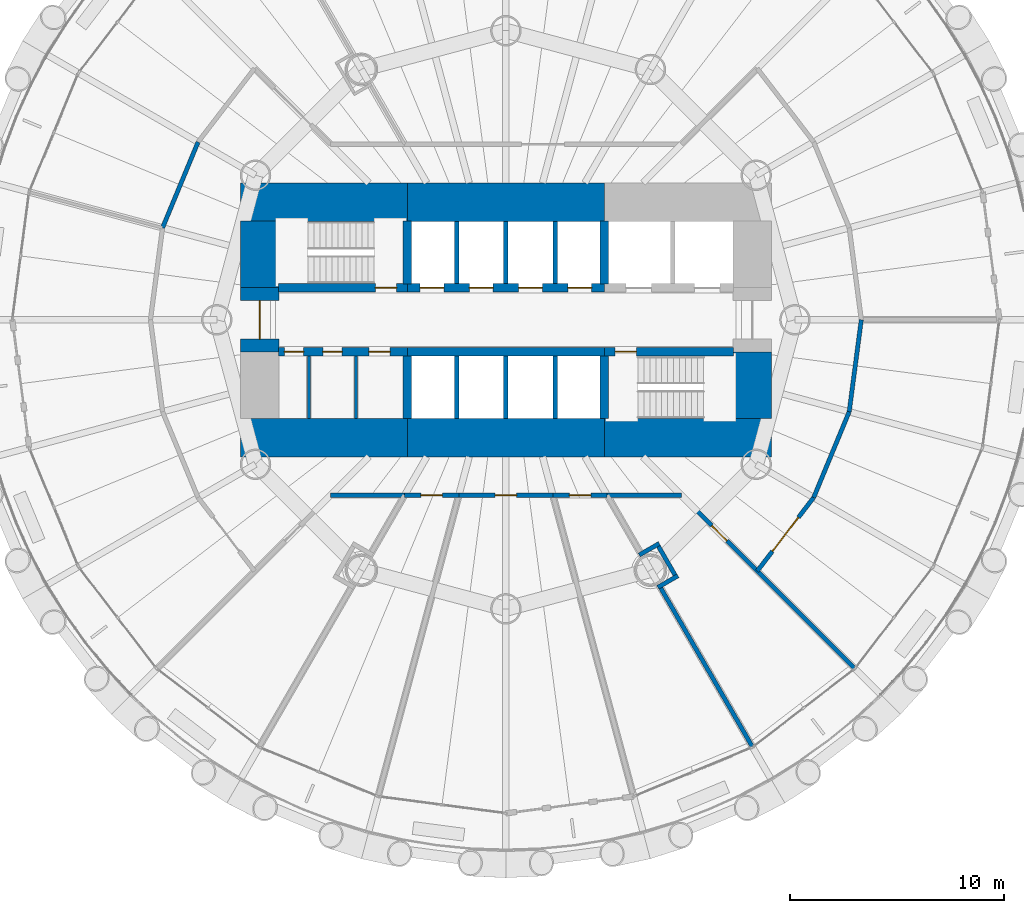
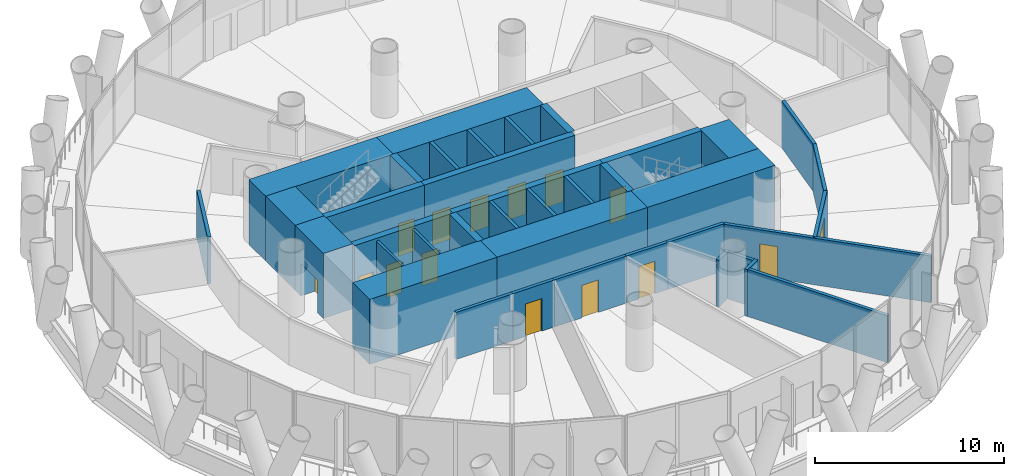
# One storey, part 9 of 14: 39 walls, 15 doors, 15 openings.
"""IFC4 building model written with IfcOpenShell, lengths in metres."""

from ifc_helpers import new_model, si_unit, direction, frame, frame_2d, origin, place, context, subcontext, project, spatial, rectangle, extrude, material, layer, layer_set, type_object, element, fill, save


model = new_model("IFC4")

# Units and contexts
model_context = context("Model", 3, precision=1e-05, world=origin(), true_north=direction((0.0, 1.0)))
body_context = subcontext(model_context, "Body", "Model", "MODEL_VIEW")
ifc_project = project(units=[si_unit("LENGTHUNIT", "METRE"), si_unit("AREAUNIT", "SQUARE_METRE"), si_unit("VOLUMEUNIT", "CUBIC_METRE"), si_unit("PLANEANGLEUNIT", "RADIAN"), si_unit("MASSUNIT", "GRAM", prefix="KILO")], contexts=[model_context])

# Site, building, storey
site_placement = place(None, origin())
site = spatial("IfcSite", under=ifc_project, at=site_placement, CompositionType="ELEMENT")
building_placement = place(site_placement, origin())
building = spatial("IfcBuilding", under=site, at=building_placement, Name="Qaws Media Tower", CompositionType="ELEMENT")
storey_placement = place(building_placement, frame((0.0, 0.0, 93.199951171875)))
storey = spatial("IfcBuildingStorey", under=building, at=storey_placement, Name="L20", CompositionType="ELEMENT", Elevation=93.199951171875)

# Wall, opening, door
ifc_material_1 = material(Name="Concrete C60/75", Category="concrete")
ifc_layer_1 = layer(ifc_material_1, 0.39990234375)
ifc_layer_set_1 = layer_set([ifc_layer_1], Name="Core inner wall 400")
wall_type_1 = type_object("IfcWallType", Name="Core inner wall 400", PredefinedType="SHEAR", material=ifc_layer_set_1)
wall_1_placement = place(storey_placement, frame((49.3798828125, 51.5, 0.0), z_axis=(0.0, 0.0, 1.0), x_axis=(1.0, 0.0, 0.0)))
wall_1 = element("IfcWall", 1, at=wall_1_placement, inside=storey, type_object=wall_type_1, Name="W311 SW4 core wall SPNW L20", PredefinedType="SHEAR", context=body_context, shape_type="SweptSolid", body=[
    extrude(rectangle(XDim=6.02001953125, YDim=0.39990234375, at=frame_2d((3.010009765625, 0.0))), origin(), (0.0, 0.0, 1.0), 4.199951171875),
])
opening_1_placement = place(wall_1_placement, frame((4.52001953125, 0.0, 0.0)))
opening_1 = element("IfcOpeningElement", 2, at=opening_1_placement, cuts=wall_1, Name="Opening D1", PredefinedType="OPENING", context=body_context, shape_type="SweptSolid", body=[
    extrude(rectangle(XDim=1.0, YDim=2.10009765625, at=frame_2d((0.5, 1.050048828125))), frame((0.0, 0.2099609375, 0.0), z_axis=(0.0, -1.0, 0.0), x_axis=(1.0, 0.0, 0.0)), (0.0, 0.0, 1.0), 0.419921875),
])
ifc_material_2 = material(Name="Steel, fire rated", Category="steel")
door_type_1 = type_object("IfcDoorType", Name="Stair door 1000 FD120", OperationType="SINGLE_SWING_LEFT", PredefinedType="DOOR", material=ifc_material_2)
door_1_placement = place(opening_1_placement, origin())
door_1 = element("IfcDoor", 3, at=door_1_placement, inside=storey, type_object=door_type_1, Name="D1 stair S1 door L20 in wall W311", OperationType="SINGLE_SWING_LEFT", OverallHeight=2.10009765625, OverallWidth=1.0, PredefinedType="DOOR", context=body_context, shape_type="SweptSolid", body=[
    extrude(rectangle(XDim=1.0, YDim=2.10009765625, at=frame_2d((0.5, 1.050048828125))), frame((0.0, 0.02490234375, 0.0), z_axis=(0.0, -1.0, 0.0), x_axis=(1.0, 0.0, 0.0)), (0.0, 0.0, 1.0), 0.050048828125),
])
fill(opening_1, door_1)

# Wall, openings, doors
wall_2_placement = place(storey_placement, frame((55.39990234375, 51.5, 0.0), z_axis=(0.0, 0.0, 1.0), x_axis=(1.0, 0.0, 0.0)))
wall_2 = element("IfcWall", 4, at=wall_2_placement, inside=storey, type_object=wall_type_1, Name="W314 SW4 core wall SPN L20", PredefinedType="SHEAR", context=body_context, shape_type="SweptSolid", body=[
    extrude(rectangle(XDim=9.2001953125, YDim=0.39990234375, at=frame_2d((4.60009765625, 0.0))), origin(), (0.0, 0.0, 1.0), 4.199951171875),
])
opening_2_placement = place(wall_2_placement, frame((0.60009765625, 0.0, 0.0)))
opening_2 = element("IfcOpeningElement", 5, at=opening_2_placement, cuts=wall_2, Name="Opening LD", PredefinedType="OPENING", context=body_context, shape_type="SweptSolid", body=[
    extrude(rectangle(XDim=1.10009765625, YDim=2.10009765625, at=frame_2d((0.550048828125, 1.050048828125))), frame((0.0, 0.2099609375, 0.0), z_axis=(0.0, -1.0, 0.0), x_axis=(1.0, 0.0, 0.0)), (0.0, 0.0, 1.0), 0.419921875),
])
opening_3_placement = place(wall_2_placement, frame((2.89990234375, 0.0, 0.0)))
opening_3 = element("IfcOpeningElement", 6, at=opening_3_placement, cuts=wall_2, Name="Opening LD", PredefinedType="OPENING", context=body_context, shape_type="SweptSolid", body=[
    extrude(rectangle(XDim=1.10009765625, YDim=2.10009765625, at=frame_2d((0.550048828125, 1.050048828125))), frame((0.0, 0.2099609375, 0.0), z_axis=(0.0, -1.0, 0.0), x_axis=(1.0, 0.0, 0.0)), (0.0, 0.0, 1.0), 0.419921875),
])
opening_4_placement = place(wall_2_placement, frame((5.199951171875, 0.0, 0.0)))
opening_4 = element("IfcOpeningElement", 7, at=opening_4_placement, cuts=wall_2, Name="Opening LD", PredefinedType="OPENING", context=body_context, shape_type="SweptSolid", body=[
    extrude(rectangle(XDim=1.10009765625, YDim=2.10009765625, at=frame_2d((0.550048828125, 1.050048828125))), frame((0.0, 0.2099609375, 0.0), z_axis=(0.0, -1.0, 0.0), x_axis=(1.0, 0.0, 0.0)), (0.0, 0.0, 1.0), 0.419921875),
])
opening_5_placement = place(wall_2_placement, frame((7.5, 0.0, 0.0)))
opening_5 = element("IfcOpeningElement", 8, at=opening_5_placement, cuts=wall_2, Name="Opening LD", PredefinedType="OPENING", context=body_context, shape_type="SweptSolid", body=[
    extrude(rectangle(XDim=1.10009765625, YDim=2.10009765625, at=frame_2d((0.550048828125, 1.050048828125))), frame((0.0, 0.2099609375, 0.0), z_axis=(0.0, -1.0, 0.0), x_axis=(1.0, 0.0, 0.0)), (0.0, 0.0, 1.0), 0.419921875),
])
ifc_material_3 = material(Name="Steel, fire rated", Category="steel")
door_type_2 = type_object("IfcDoorType", Name="Lift landing door 1100", OperationType="SLIDING_TO_LEFT", PredefinedType="DOOR", material=ifc_material_3)
door_2_placement = place(opening_2_placement, origin())
door_2 = element("IfcDoor", 9, at=door_2_placement, inside=storey, type_object=door_type_2, Name="P1 landing door L20 in wall W314", OperationType="SLIDING_TO_LEFT", OverallHeight=2.10009765625, OverallWidth=1.10009765625, PredefinedType="DOOR", context=body_context, shape_type="SweptSolid", body=[
    extrude(rectangle(XDim=1.10009765625, YDim=2.10009765625, at=frame_2d((0.550048828125, 1.050048828125))), frame((0.0, 0.02490234375, 0.0), z_axis=(0.0, -1.0, 0.0), x_axis=(1.0, 0.0, 0.0)), (0.0, 0.0, 1.0), 0.050048828125),
])
fill(opening_2, door_2)
door_3_placement = place(opening_3_placement, origin())
door_3 = element("IfcDoor", 10, at=door_3_placement, inside=storey, type_object=door_type_2, Name="P2 landing door L20 in wall W314", OperationType="SLIDING_TO_LEFT", OverallHeight=2.10009765625, OverallWidth=1.10009765625, PredefinedType="DOOR", context=body_context, shape_type="SweptSolid", body=[
    extrude(rectangle(XDim=1.10009765625, YDim=2.10009765625, at=frame_2d((0.550048828125, 1.050048828125))), frame((0.0, 0.02490234375, 0.0), z_axis=(0.0, -1.0, 0.0), x_axis=(1.0, 0.0, 0.0)), (0.0, 0.0, 1.0), 0.050048828125),
])
fill(opening_3, door_3)
door_4_placement = place(opening_4_placement, origin())
door_4 = element("IfcDoor", 11, at=door_4_placement, inside=storey, type_object=door_type_2, Name="P3 landing door L20 in wall W314", OperationType="SLIDING_TO_LEFT", OverallHeight=2.10009765625, OverallWidth=1.10009765625, PredefinedType="DOOR", context=body_context, shape_type="SweptSolid", body=[
    extrude(rectangle(XDim=1.10009765625, YDim=2.10009765625, at=frame_2d((0.550048828125, 1.050048828125))), frame((0.0, 0.02490234375, 0.0), z_axis=(0.0, -1.0, 0.0), x_axis=(1.0, 0.0, 0.0)), (0.0, 0.0, 1.0), 0.050048828125),
])
fill(opening_4, door_4)
door_5_placement = place(opening_5_placement, origin())
door_5 = element("IfcDoor", 12, at=door_5_placement, inside=storey, type_object=door_type_2, Name="P4 landing door L20 in wall W314", OperationType="SLIDING_TO_LEFT", OverallHeight=2.10009765625, OverallWidth=1.10009765625, PredefinedType="DOOR", context=body_context, shape_type="SweptSolid", body=[
    extrude(rectangle(XDim=1.10009765625, YDim=2.10009765625, at=frame_2d((0.550048828125, 1.050048828125))), frame((0.0, 0.02490234375, 0.0), z_axis=(0.0, -1.0, 0.0), x_axis=(1.0, 0.0, 0.0)), (0.0, 0.0, 1.0), 0.050048828125),
])
fill(opening_5, door_5)

wall_3_placement = place(storey_placement, frame((49.3798828125, 48.5, 0.0), z_axis=(0.0, 0.0, 1.0), x_axis=(1.0, 0.0, 0.0)))
wall_3 = element("IfcWall", 13, at=wall_3_placement, inside=storey, type_object=wall_type_1, Name="W310 SW4 core wall SPSW L20", PredefinedType="SHEAR", context=body_context, shape_type="SweptSolid", body=[
    extrude(rectangle(XDim=6.02001953125, YDim=0.39990234375, at=frame_2d((3.010009765625, 0.0))), origin(), (0.0, 0.0, 1.0), 4.199951171875),
])
opening_6_placement = place(wall_3_placement, frame((0.27001953125, 0.0, 0.0)))
opening_6 = element("IfcOpeningElement", 14, at=opening_6_placement, cuts=wall_3, Name="Opening D25", PredefinedType="OPENING", context=body_context, shape_type="SweptSolid", body=[
    extrude(rectangle(XDim=0.89990234375, YDim=2.10009765625, at=frame_2d((0.449951171875, 1.050048828125))), frame((0.0, 0.2099609375, 0.0), z_axis=(0.0, -1.0, 0.0), x_axis=(1.0, 0.0, 0.0)), (0.0, 0.0, 1.0), 0.419921875),
])
opening_7_placement = place(wall_3_placement, frame((2.070068359375, 0.0, 0.0)))
opening_7 = element("IfcOpeningElement", 15, at=opening_7_placement, cuts=wall_3, Name="Opening D25", PredefinedType="OPENING", context=body_context, shape_type="SweptSolid", body=[
    extrude(rectangle(XDim=0.89990234375, YDim=2.10009765625, at=frame_2d((0.449951171875, 1.050048828125))), frame((0.0, 0.2099609375, 0.0), z_axis=(0.0, -1.0, 0.0), x_axis=(1.0, 0.0, 0.0)), (0.0, 0.0, 1.0), 0.419921875),
])
opening_8_placement = place(wall_3_placement, frame((4.219970703125, 0.0, 0.0)))
opening_8 = element("IfcOpeningElement", 16, at=opening_8_placement, cuts=wall_3, Name="Opening D4", PredefinedType="OPENING", context=body_context, shape_type="SweptSolid", body=[
    extrude(rectangle(XDim=1.0, YDim=2.10009765625, at=frame_2d((0.5, 1.050048828125))), frame((0.0, 0.2099609375, 0.0), z_axis=(0.0, -1.0, 0.0), x_axis=(1.0, 0.0, 0.0)), (0.0, 0.0, 1.0), 0.419921875),
])
ifc_material_4 = material(Name="Timber veneered", Category="wood")
door_type_3 = type_object("IfcDoorType", Name="Accessible WC door 1000", OperationType="SLIDING_TO_LEFT", PredefinedType="DOOR", material=ifc_material_4)
door_6_placement = place(opening_8_placement, origin())
door_6 = element("IfcDoor", 17, at=door_6_placement, inside=storey, type_object=door_type_3, Name="D4 toilet door 3 L20 in wall W310", OperationType="SLIDING_TO_LEFT", OverallHeight=2.10009765625, OverallWidth=1.0, PredefinedType="DOOR", context=body_context, shape_type="SweptSolid", body=[
    extrude(rectangle(XDim=1.0, YDim=2.10009765625, at=frame_2d((0.5, 1.050048828125))), frame((0.0, 0.02490234375, 0.0), z_axis=(0.0, -1.0, 0.0), x_axis=(1.0, 0.0, 0.0)), (0.0, 0.0, 1.0), 0.050048828125),
])
fill(opening_8, door_6)
ifc_material_5 = material(Name="Steel, fire rated", Category="steel")
door_type_4 = type_object("IfcDoorType", Name="Core service door 900", OperationType="SINGLE_SWING_RIGHT", PredefinedType="DOOR", material=ifc_material_5)
door_7_placement = place(opening_6_placement, origin())
door_7 = element("IfcDoor", 18, at=door_7_placement, inside=storey, type_object=door_type_4, Name="D25 toilet door 1 L20 in wall W310", OperationType="SINGLE_SWING_RIGHT", OverallHeight=2.10009765625, OverallWidth=0.89990234375, PredefinedType="DOOR", context=body_context, shape_type="SweptSolid", body=[
    extrude(rectangle(XDim=0.89990234375, YDim=2.10009765625, at=frame_2d((0.449951171875, 1.050048828125))), frame((0.0, 0.02490234375, 0.0), z_axis=(0.0, -1.0, 0.0), x_axis=(1.0, 0.0, 0.0)), (0.0, 0.0, 1.0), 0.050048828125),
])
fill(opening_6, door_7)
door_8_placement = place(opening_7_placement, origin())
door_8 = element("IfcDoor", 19, at=door_8_placement, inside=storey, type_object=door_type_4, Name="D25 toilet door 2 L20 in wall W310", OperationType="SINGLE_SWING_RIGHT", OverallHeight=2.10009765625, OverallWidth=0.89990234375, PredefinedType="DOOR", context=body_context, shape_type="SweptSolid", body=[
    extrude(rectangle(XDim=0.89990234375, YDim=2.10009765625, at=frame_2d((0.449951171875, 1.050048828125))), frame((0.0, 0.02490234375, 0.0), z_axis=(0.0, -1.0, 0.0), x_axis=(1.0, 0.0, 0.0)), (0.0, 0.0, 1.0), 0.050048828125),
])
fill(opening_7, door_8)

# Wall
wall_4_placement = place(storey_placement, frame((55.39990234375, 48.5, 0.0), z_axis=(0.0, 0.0, 1.0), x_axis=(1.0, 0.0, 0.0)))
element("IfcWall", 20, at=wall_4_placement, inside=storey, type_object=wall_type_1, Name="W313 SW4 core wall SPS L20", PredefinedType="SHEAR", context=body_context, shape_type="SweptSolid", body=[
    extrude(rectangle(XDim=9.2001953125, YDim=0.39990234375, at=frame_2d((4.60009765625, 0.0))), origin(), (0.0, 0.0, 1.0), 4.199951171875),
])

# Wall, opening, door
wall_5_placement = place(storey_placement, frame((64.60009765625, 48.5, 0.0), z_axis=(0.0, 0.0, 1.0), x_axis=(1.0, 0.0, 0.0)))
wall_5 = element("IfcWall", 21, at=wall_5_placement, inside=storey, type_object=wall_type_1, Name="W317 SW4 core wall SPSE L20", PredefinedType="SHEAR", context=body_context, shape_type="SweptSolid", body=[
    extrude(rectangle(XDim=6.02001953125, YDim=0.39990234375, at=frame_2d((3.010009765625, 0.0))), origin(), (0.0, 0.0, 1.0), 4.199951171875),
])
opening_9_placement = place(wall_5_placement, frame((0.5, 0.0, 0.0)))
opening_9 = element("IfcOpeningElement", 22, at=opening_9_placement, cuts=wall_5, Name="Opening D1", PredefinedType="OPENING", context=body_context, shape_type="SweptSolid", body=[
    extrude(rectangle(XDim=1.0, YDim=2.10009765625, at=frame_2d((0.5, 1.050048828125))), frame((0.0, 0.2099609375, 0.0), z_axis=(0.0, -1.0, 0.0), x_axis=(1.0, 0.0, 0.0)), (0.0, 0.0, 1.0), 0.419921875),
])
door_9_placement = place(opening_9_placement, origin())
door_9 = element("IfcDoor", 23, at=door_9_placement, inside=storey, type_object=door_type_1, Name="D1 stair S2 door L20 in wall W317", OperationType="SINGLE_SWING_LEFT", OverallHeight=2.10009765625, OverallWidth=1.0, PredefinedType="DOOR", context=body_context, shape_type="SweptSolid", body=[
    extrude(rectangle(XDim=1.0, YDim=2.10009765625, at=frame_2d((0.5, 1.050048828125))), frame((0.0, 0.02490234375, 0.0), z_axis=(0.0, -1.0, 0.0), x_axis=(1.0, 0.0, 0.0)), (0.0, 0.0, 1.0), 0.050048828125),
])
fill(opening_9, door_9)

# Walls
for number, where, z_axis, x_axis, name in (
    (24, (55.39990234375, 51.679931640625, 0.0), (0.0, 0.0, 1.0), (0.0, 1.0, 0.0), "W315 SW4 core wall XNW L20"),
    (25, (64.60009765625, 51.679931640625, 0.0), (0.0, 0.0, 1.0), (0.0, 1.0, 0.0), "W319 SW4 core wall XNE L20"),
    (26, (55.39990234375, 48.320068359375, 0.0), (0.0, 0.0, 1.0), (0.0, -1.0, 0.0), "W312 SW4 core wall XSW L20"),
    (27, (64.60009765625, 48.320068359375, 0.0), (0.0, 0.0, 1.0), (0.0, -1.0, 0.0), "W316 SW4 core wall XSE L20"),
):
    element("IfcWall", number, at=place(storey_placement, frame(where, z_axis=z_axis, x_axis=x_axis)), inside=storey, type_object=wall_type_1, Name=name, PredefinedType="SHEAR", context=body_context, shape_type="SweptSolid", body=[
        extrude(rectangle(XDim=2.940185546875, YDim=0.39990234375, at=frame_2d((1.47021484375, 0.0))), origin(), (0.0, 0.0, 1.0), 4.199951171875),
    ])
ifc_material_6 = material(Name="Concrete C60/75", Category="concrete")
ifc_layer_2 = layer(ifc_material_6, 1.800048828125)
ifc_layer_set_2 = layer_set([ifc_layer_2], Name="Core wall 1800")
wall_type_2 = type_object("IfcWallType", Name="Core wall 1800", PredefinedType="SHEAR", material=ifc_layer_set_2)
wall_6_placement = place(storey_placement, frame((47.60009765625, 55.5, 0.0), z_axis=(0.0, 0.0, 1.0), x_axis=(1.0, 0.0, 0.0)))
element("IfcWall", 28, at=wall_6_placement, inside=storey, type_object=wall_type_2, Name="W399 SW11 core wall NW L20", PredefinedType="SHEAR", context=body_context, shape_type="SweptSolid", body=[
    extrude(rectangle(XDim=7.7998046875, YDim=1.800048828125, at=frame_2d((3.89990234375, 0.0))), origin(), (0.0, 0.0, 1.0), 4.199951171875),
])
wall_7_placement = place(storey_placement, frame((55.39990234375, 55.5, 0.0), z_axis=(0.0, 0.0, 1.0), x_axis=(1.0, 0.0, 0.0)))
element("IfcWall", 29, at=wall_7_placement, inside=storey, type_object=wall_type_2, Name="W404 SW11 core wall N L20", PredefinedType="SHEAR", context=body_context, shape_type="SweptSolid", body=[
    extrude(rectangle(XDim=9.2001953125, YDim=1.800048828125, at=frame_2d((4.60009765625, 0.0))), origin(), (0.0, 0.0, 1.0), 4.199951171875),
])
wall_8_placement = place(storey_placement, frame((47.60009765625, 44.5, 0.0), z_axis=(0.0, 0.0, 1.0), x_axis=(1.0, 0.0, 0.0)))
element("IfcWall", 30, at=wall_8_placement, inside=storey, type_object=wall_type_2, Name="W398 SW11 core wall SW L20", PredefinedType="SHEAR", context=body_context, shape_type="SweptSolid", body=[
    extrude(rectangle(XDim=7.7998046875, YDim=1.800048828125, at=frame_2d((3.89990234375, 0.0))), origin(), (0.0, 0.0, 1.0), 4.199951171875),
])
wall_9_placement = place(storey_placement, frame((55.39990234375, 44.5, 0.0), z_axis=(0.0, 0.0, 1.0), x_axis=(1.0, 0.0, 0.0)))
element("IfcWall", 31, at=wall_9_placement, inside=storey, type_object=wall_type_2, Name="W403 SW11 core wall S L20", PredefinedType="SHEAR", context=body_context, shape_type="SweptSolid", body=[
    extrude(rectangle(XDim=9.2001953125, YDim=1.800048828125, at=frame_2d((4.60009765625, 0.0))), origin(), (0.0, 0.0, 1.0), 4.199951171875),
])
wall_10_placement = place(storey_placement, frame((64.60009765625, 44.5, 0.0), z_axis=(0.0, 0.0, 1.0), x_axis=(1.0, 0.0, 0.0)))
element("IfcWall", 32, at=wall_10_placement, inside=storey, type_object=wall_type_2, Name="W405 SW11 core wall SE L20", PredefinedType="SHEAR", context=body_context, shape_type="SweptSolid", body=[
    extrude(rectangle(XDim=7.7998046875, YDim=1.800048828125, at=frame_2d((3.89990234375, 0.0))), origin(), (0.0, 0.0, 1.0), 4.199951171875),
])
wall_11_placement = place(storey_placement, frame((71.5, 45.3798828125, 0.0), z_axis=(0.0, 0.0, 1.0), x_axis=(0.0, 1.0, 0.0)))
element("IfcWall", 33, at=wall_11_placement, inside=storey, type_object=wall_type_2, Name="W407 SW11 core wall ES L20", PredefinedType="SHEAR", context=body_context, shape_type="SweptSolid", body=[
    extrude(rectangle(XDim=3.1201171875, YDim=1.800048828125, at=frame_2d((1.56005859375, 0.0))), origin(), (0.0, 0.0, 1.0), 4.199951171875),
])

# Wall, opening, door
wall_12_placement = place(storey_placement, frame((48.5, 48.5, 0.0), z_axis=(0.0, 0.0, 1.0), x_axis=(0.0, 1.0, 0.0)))
wall_12 = element("IfcWall", 34, at=wall_12_placement, inside=storey, type_object=wall_type_2, Name="W401 SW11 core wall W L20", PredefinedType="SHEAR", context=body_context, shape_type="SweptSolid", body=[
    extrude(rectangle(XDim=3.0, YDim=1.800048828125, at=frame_2d((1.5, 0.0))), origin(), (0.0, 0.0, 1.0), 4.199951171875),
])
opening_10_placement = place(wall_12_placement, frame((0.60009765625, 0.0, 0.0)))
opening_10 = element("IfcOpeningElement", 35, at=opening_10_placement, cuts=wall_12, Name="Opening D2", PredefinedType="OPENING", context=body_context, shape_type="SweptSolid", body=[
    extrude(rectangle(XDim=1.800048828125, YDim=2.10009765625, at=frame_2d((0.89990234375, 1.050048828125))), frame((0.0, 0.909912109375, 0.0), z_axis=(0.0, -1.0, 0.0), x_axis=(1.0, 0.0, 0.0)), (0.0, 0.0, 1.0), 1.820068359375),
])
ifc_material_7 = material(Name="Steel and glass, fire rated", Category="steel")
door_type_5 = type_object("IfcDoorType", Name="Lobby door pair 1800 FD60", OperationType="DOUBLE_DOOR_DOUBLE_SWING", PredefinedType="DOOR", material=ifc_material_7)
door_10_placement = place(opening_10_placement, origin())
door_10 = element("IfcDoor", 36, at=door_10_placement, inside=storey, type_object=door_type_5, Name="D2 core lobby door W L20 in wall W401", OperationType="DOUBLE_DOOR_DOUBLE_SWING", OverallHeight=2.10009765625, OverallWidth=1.800048828125, PredefinedType="DOOR", context=body_context, shape_type="SweptSolid", body=[
    extrude(rectangle(XDim=1.800048828125, YDim=2.10009765625, at=frame_2d((0.89990234375, 1.050048828125))), frame((0.0, 0.02490234375, 0.0), z_axis=(0.0, -1.0, 0.0), x_axis=(1.0, 0.0, 0.0)), (0.0, 0.0, 1.0), 0.050048828125),
])
fill(opening_10, door_10)

# Walls
wall_13_placement = place(storey_placement, frame((48.5, 51.5, 0.0), z_axis=(0.0, 0.0, 1.0), x_axis=(0.0, 1.0, 0.0)))
element("IfcWall", 37, at=wall_13_placement, inside=storey, type_object=wall_type_2, Name="W402 SW11 core wall WN L20", PredefinedType="SHEAR", context=body_context, shape_type="SweptSolid", body=[
    extrude(rectangle(XDim=3.1201171875, YDim=1.800048828125, at=frame_2d((1.56005859375, 0.0))), origin(), (0.0, 0.0, 1.0), 4.199951171875),
])
ifc_material_8 = material(Name="Gypsum board on galvanised metal studs, acoustic double stud, deflection head", Category="gypsum")
ifc_layer_3 = layer(ifc_material_8, 0.199951171875)
ifc_layer_set_3 = layer_set([ifc_layer_3], Name="Room partition 200")
wall_type_3 = type_object("IfcWallType", Name="Room partition 200", PredefinedType="PARTITIONING", material=ifc_layer_set_3)
for number, where, z_axis, x_axis, name in (
    (38, (43.965576171875, 54.29638671875, 0.0), (0.0, 0.0, 1.0), (0.382698425325, 0.923873322082, 0.0), "W989 IW3 partition L20"),
    (39, (76.60009765625, 50.0, 0.0), (0.0, 0.0, 1.0), (-0.130536124221, -0.99144355375, 0.0), "W1017 IW3 partition L20"),
    (40, (76.034423828125, 45.70361328125, 0.0), (0.0, 0.0, 1.0), (-0.382698425325, -0.923873322082, 0.0), "W1015 IW3 partition L20"),
):
    element("IfcWall", number, at=place(storey_placement, frame(where, z_axis=z_axis, x_axis=x_axis)), inside=storey, type_object=wall_type_3, Name=name, PredefinedType="PARTITIONING", context=body_context, shape_type="SweptSolid", body=[
        extrude(rectangle(XDim=4.33349609375, YDim=0.199951171875, at=frame_2d((2.166748046875, 0.0))), origin(), (0.0, 0.0, 1.0), 3.0400390625),
    ])

# Wall, opening, door
wall_14_placement = place(storey_placement, frame((74.3759765625, 41.699951171875, 0.0), z_axis=(0.0, 0.0, 1.0), x_axis=(-0.60874374674, -0.79336690806, 0.0)))
wall_14 = element("IfcWall", 41, at=wall_14_placement, inside=storey, type_object=wall_type_3, Name="W1013 IW3 partition L20", PredefinedType="PARTITIONING", context=body_context, shape_type="SweptSolid", body=[
    extrude(rectangle(XDim=4.33349609375, YDim=0.199951171875, at=frame_2d((2.166748046875, 0.0))), origin(), (0.0, 0.0, 1.0), 3.0400390625),
])
opening_11_placement = place(wall_14_placement, frame((1.166748046875, 0.0, 0.0)))
opening_11 = element("IfcOpeningElement", 42, at=opening_11_placement, cuts=wall_14, Name="Opening D6", PredefinedType="OPENING", context=body_context, shape_type="SweptSolid", body=[
    extrude(rectangle(XDim=2.0, YDim=2.10009765625, at=frame_2d((1.0, 1.050048828125))), frame((0.0, 0.10986328125, 0.0), z_axis=(0.0, -1.0, 0.0), x_axis=(1.0, 0.0, 0.0)), (0.0, 0.0, 1.0), 0.219970703125),
])
ifc_material_9 = material(Name="Steel, acoustic, fire rated", Category="steel")
door_type_6 = type_object("IfcDoorType", Name="Room door pair 2000", OperationType="DOUBLE_DOOR_DOUBLE_SWING", PredefinedType="DOOR", material=ifc_material_9)
door_11_placement = place(opening_11_placement, origin())
door_11 = element("IfcDoor", 43, at=door_11_placement, inside=storey, type_object=door_type_6, Name="D6 Broadcast engineering office door L20 in wall W1013", OperationType="DOUBLE_DOOR_DOUBLE_SWING", OverallHeight=2.10009765625, OverallWidth=2.0, PredefinedType="DOOR", context=body_context, shape_type="SweptSolid", body=[
    extrude(rectangle(XDim=2.0, YDim=2.10009765625, at=frame_2d((1.0, 1.050048828125))), frame((0.0, 0.02490234375, 0.0), z_axis=(0.0, -1.0, 0.0), x_axis=(1.0, 0.0, 0.0)), (0.0, 0.0, 1.0), 0.050048828125),
])
fill(opening_11, door_11)

# Wall
wall_15_placement = place(storey_placement, frame((68.199951171875, 41.800048828125, 0.0), z_axis=(0.0, 0.0, 1.0), x_axis=(-1.0, 0.0, 0.0)))
element("IfcWall", 44, at=wall_15_placement, inside=storey, type_object=wall_type_3, Name="W974 IW3 partition L20", PredefinedType="PARTITIONING", context=body_context, shape_type="SweptSolid", body=[
    extrude(rectangle(XDim=3.465576171875, YDim=0.199951171875, at=frame_2d((1.73291015625, 0.0))), origin(), (0.0, 0.0, 1.0), 3.0400390625),
])

# Wall, opening, door
wall_16_placement = place(storey_placement, frame((64.734375, 41.800048828125, 0.0), z_axis=(0.0, 0.0, 1.0), x_axis=(-1.0, 0.0, 0.0)))
wall_16 = element("IfcWall", 45, at=wall_16_placement, inside=storey, type_object=wall_type_3, Name="W1124 IW3 partition L20", PredefinedType="PARTITIONING", context=body_context, shape_type="SweptSolid", body=[
    extrude(rectangle(XDim=2.537109375, YDim=0.199951171875, at=frame_2d((1.2685546875, 0.0))), origin(), (0.0, 0.0, 1.0), 3.0400390625),
])
opening_12_placement = place(wall_16_placement, frame((0.7685546875, 0.0, 0.0)))
opening_12 = element("IfcOpeningElement", 46, at=opening_12_placement, cuts=wall_16, Name="Opening D5", PredefinedType="OPENING", context=body_context, shape_type="SweptSolid", body=[
    extrude(rectangle(XDim=1.0, YDim=2.10009765625, at=frame_2d((0.5, 1.050048828125))), frame((0.0, 0.10986328125, 0.0), z_axis=(0.0, -1.0, 0.0), x_axis=(1.0, 0.0, 0.0)), (0.0, 0.0, 1.0), 0.219970703125),
])
ifc_material_10 = material(Name="Timber veneered, acoustic seal", Category="wood")
door_type_7 = type_object("IfcDoorType", Name="Room door 1000", OperationType="SINGLE_SWING_LEFT", PredefinedType="DOOR", material=ifc_material_10)
door_12_placement = place(opening_12_placement, origin())
door_12 = element("IfcDoor", 47, at=door_12_placement, inside=storey, type_object=door_type_7, Name="D5 Gents toilets door L20 in wall W1124", OperationType="SINGLE_SWING_LEFT", OverallHeight=2.10009765625, OverallWidth=1.0, PredefinedType="DOOR", context=body_context, shape_type="SweptSolid", body=[
    extrude(rectangle(XDim=1.0, YDim=2.10009765625, at=frame_2d((0.5, 1.050048828125))), frame((0.0, 0.02490234375, 0.0), z_axis=(0.0, -1.0, 0.0), x_axis=(1.0, 0.0, 0.0)), (0.0, 0.0, 1.0), 0.050048828125),
])
fill(opening_12, door_12)

wall_17_placement = place(storey_placement, frame((62.197265625, 41.800048828125, 0.0), z_axis=(0.0, 0.0, 1.0), x_axis=(-1.0, 0.0, 0.0)))
wall_17 = element("IfcWall", 48, at=wall_17_placement, inside=storey, type_object=wall_type_3, Name="W1122 IW3 partition L20", PredefinedType="PARTITIONING", context=body_context, shape_type="SweptSolid", body=[
    extrude(rectangle(XDim=4.39453125, YDim=0.199951171875, at=frame_2d((2.197265625, 0.0))), origin(), (0.0, 0.0, 1.0), 3.0400390625),
])
opening_13_placement = place(wall_17_placement, frame((1.697265625, 0.0, 0.0)))
opening_13 = element("IfcOpeningElement", 49, at=opening_13_placement, cuts=wall_17, Name="Opening D5", PredefinedType="OPENING", context=body_context, shape_type="SweptSolid", body=[
    extrude(rectangle(XDim=1.0, YDim=2.10009765625, at=frame_2d((0.5, 1.050048828125))), frame((0.0, 0.10986328125, 0.0), z_axis=(0.0, -1.0, 0.0), x_axis=(1.0, 0.0, 0.0)), (0.0, 0.0, 1.0), 0.219970703125),
])
door_13_placement = place(opening_13_placement, origin())
door_13 = element("IfcDoor", 50, at=door_13_placement, inside=storey, type_object=door_type_7, Name="D5 Media library door L20 in wall W1122", OperationType="SINGLE_SWING_LEFT", OverallHeight=2.10009765625, OverallWidth=1.0, PredefinedType="DOOR", context=body_context, shape_type="SweptSolid", body=[
    extrude(rectangle(XDim=1.0, YDim=2.10009765625, at=frame_2d((0.5, 1.050048828125))), frame((0.0, 0.02490234375, 0.0), z_axis=(0.0, -1.0, 0.0), x_axis=(1.0, 0.0, 0.0)), (0.0, 0.0, 1.0), 0.050048828125),
])
fill(opening_13, door_13)

wall_18_placement = place(storey_placement, frame((57.802734375, 41.800048828125, 0.0), z_axis=(0.0, 0.0, 1.0), x_axis=(-1.0, 0.0, 0.0)))
wall_18 = element("IfcWall", 51, at=wall_18_placement, inside=storey, type_object=wall_type_3, Name="W971 IW3 partition L20", PredefinedType="PARTITIONING", context=body_context, shape_type="SweptSolid", body=[
    extrude(rectangle(XDim=2.537109375, YDim=0.199951171875, at=frame_2d((1.2685546875, 0.0))), origin(), (0.0, 0.0, 1.0), 3.0400390625),
])
opening_14_placement = place(wall_18_placement, frame((0.7685546875, 0.0, 0.0)))
opening_14 = element("IfcOpeningElement", 52, at=opening_14_placement, cuts=wall_18, Name="Opening D5", PredefinedType="OPENING", context=body_context, shape_type="SweptSolid", body=[
    extrude(rectangle(XDim=1.0, YDim=2.10009765625, at=frame_2d((0.5, 1.050048828125))), frame((0.0, 0.10986328125, 0.0), z_axis=(0.0, -1.0, 0.0), x_axis=(1.0, 0.0, 0.0)), (0.0, 0.0, 1.0), 0.219970703125),
])
door_14_placement = place(opening_14_placement, origin())
door_14 = element("IfcDoor", 53, at=door_14_placement, inside=storey, type_object=door_type_7, Name="D5 Comms room door L20 in wall W971", OperationType="SINGLE_SWING_LEFT", OverallHeight=2.10009765625, OverallWidth=1.0, PredefinedType="DOOR", context=body_context, shape_type="SweptSolid", body=[
    extrude(rectangle(XDim=1.0, YDim=2.10009765625, at=frame_2d((0.5, 1.050048828125))), frame((0.0, 0.02490234375, 0.0), z_axis=(0.0, -1.0, 0.0), x_axis=(1.0, 0.0, 0.0)), (0.0, 0.0, 1.0), 0.050048828125),
])
fill(opening_14, door_14)

# Walls
wall_19_placement = place(storey_placement, frame((55.265625, 41.800048828125, 0.0), z_axis=(0.0, 0.0, 1.0), x_axis=(-1.0, 0.0, 0.0)))
element("IfcWall", 54, at=wall_19_placement, inside=storey, type_object=wall_type_3, Name="W968 IW3 partition L20", PredefinedType="PARTITIONING", context=body_context, shape_type="SweptSolid", body=[
    extrude(rectangle(XDim=3.465576171875, YDim=0.199951171875, at=frame_2d((1.73291015625, 0.0))), origin(), (0.0, 0.0, 1.0), 3.0400390625),
])
for number, where, z_axis, x_axis, name in (
    (55, (66.227783203125, 39.012939453125, 0.0), (0.0, 0.0, 1.0), (0.86603892542, 0.499976579108, 0.0), "W1125 IW3 partition return L20"),
    (56, (67.098876953125, 37.50439453125, 0.0), (0.0, 0.0, 1.0), (0.86603892542, 0.499976579108, 0.0), "W1126 IW3 partition return L20"),
):
    element("IfcWall", number, at=place(storey_placement, frame(where, z_axis=z_axis, x_axis=x_axis)), inside=storey, type_object=wall_type_3, Name=name, PredefinedType="PARTITIONING", context=body_context, shape_type="SweptSolid", body=[
        extrude(rectangle(XDim=1.0810546875, YDim=0.199951171875, at=frame_2d((0.54052734375, 0.0))), origin(), (0.0, 0.0, 1.0), 3.02001953125),
    ])
wall_20_placement = place(storey_placement, frame((67.12744140625, 39.4169921875, 0.0), z_axis=(0.0, 0.0, 1.0), x_axis=(0.499987416453, -0.866032668777, 0.0)))
element("IfcWall", 57, at=wall_20_placement, inside=storey, type_object=wall_type_3, Name="W1127 IW3 partition return L20", PredefinedType="PARTITIONING", context=body_context, shape_type="SweptSolid", body=[
    extrude(rectangle(XDim=1.5419921875, YDim=0.199951171875, at=frame_2d((0.77099609375, 0.0))), origin(), (0.0, 0.0, 1.0), 3.02001953125),
])
wall_21_placement = place(storey_placement, frame((67.235595703125, 37.4677734375, 0.0), z_axis=(0.0, 0.0, 1.0), x_axis=(0.49997985027, -0.866037036924, 0.0)))
element("IfcWall", 58, at=wall_21_placement, inside=storey, type_object=wall_type_3, Name="W1128 IW3 partition L20", PredefinedType="PARTITIONING", context=body_context, shape_type="SweptSolid", body=[
    extrude(rectangle(XDim=8.538818359375, YDim=0.199951171875, at=frame_2d((4.26953125, 0.0))), origin(), (0.0, 0.0, 1.0), 3.0400390625),
])

# Wall, opening, door
wall_22_placement = place(storey_placement, frame((68.199951171875, 41.800048828125, 0.0), z_axis=(0.0, 0.0, 1.0), x_axis=(0.707106781187, -0.707106781187, 0.0)))
wall_22 = element("IfcWall", 59, at=wall_22_placement, inside=storey, type_object=wall_type_3, Name="W1129 IW3 partition L20", PredefinedType="PARTITIONING", context=body_context, shape_type="SweptSolid", body=[
    extrude(rectangle(XDim=11.41357421875, YDim=0.199951171875, at=frame_2d((5.706787109375, 0.0))), origin(), (0.0, 0.0, 1.0), 3.02001953125),
])
opening_15_placement = place(wall_22_placement, frame((2.001708984375, 0.0, 0.0)))
opening_15 = element("IfcOpeningElement", 60, at=opening_15_placement, cuts=wall_22, Name="Opening D5", PredefinedType="OPENING", context=body_context, shape_type="SweptSolid", body=[
    extrude(rectangle(XDim=1.0, YDim=2.10009765625, at=frame_2d((0.5, 1.050048828125))), frame((0.0, 0.10986328125, 0.0), z_axis=(0.0, -1.0, 0.0), x_axis=(1.0, 0.0, 0.0)), (0.0, 0.0, 1.0), 0.219970703125),
])
door_15_placement = place(opening_15_placement, origin())
door_15 = element("IfcDoor", 61, at=door_15_placement, inside=storey, type_object=door_type_7, Name="D5 Ladies toilets door L20 in wall W1129", OperationType="SINGLE_SWING_LEFT", OverallHeight=2.10009765625, OverallWidth=1.0, PredefinedType="DOOR", context=body_context, shape_type="SweptSolid", body=[
    extrude(rectangle(XDim=1.0, YDim=2.10009765625, at=frame_2d((0.5, 1.050048828125))), frame((0.0, 0.02490234375, 0.0), z_axis=(0.0, -1.0, 0.0), x_axis=(1.0, 0.0, 0.0)), (0.0, 0.0, 1.0), 0.050048828125),
])
fill(opening_15, door_15)

# Walls
ifc_material_11 = material(Name="Fire-rated gypsum board shaft wall on galvanised metal studs, deflection head", Category="gypsum")
ifc_layer_4 = layer(ifc_material_11, 0.199951171875)
ifc_layer_set_4 = layer_set([ifc_layer_4], Name="Shaft wall 200")
wall_type_4 = type_object("IfcWallType", Name="Shaft wall 200", PredefinedType="PARTITIONING", material=ifc_layer_set_4)
for number, where, z_axis, x_axis, name in (
    (62, (57.699951171875, 51.699951171875, 0.0), (0.0, 0.0, 1.0), (0.0, 1.0, 0.0), "W1842 IW1 shaft wall N1 L20"),
    (63, (60.0, 51.699951171875, 0.0), (0.0, 0.0, 1.0), (0.0, 1.0, 0.0), "W1843 IW1 shaft wall N2 L20"),
    (64, (62.300048828125, 51.699951171875, 0.0), (0.0, 0.0, 1.0), (0.0, 1.0, 0.0), "W1844 IW1 shaft wall N3 L20"),
    (65, (57.699951171875, 45.39990234375, 0.0), (0.0, 0.0, 1.0), (0.0, 1.0, 0.0), "W1835 IW1 shaft wall S1 L20"),
    (66, (60.0, 45.39990234375, 0.0), (0.0, 0.0, 1.0), (0.0, 1.0, 0.0), "W1837 IW1 shaft wall S2 L20"),
    (67, (62.300048828125, 45.39990234375, 0.0), (0.0, 0.0, 1.0), (0.0, 1.0, 0.0), "W1839 IW1 shaft wall S3 L20"),
):
    element("IfcWall", number, at=place(storey_placement, frame(where, z_axis=z_axis, x_axis=x_axis)), inside=storey, type_object=wall_type_4, Name=name, PredefinedType="PARTITIONING", context=body_context, shape_type="SweptSolid", body=[
        extrude(rectangle(XDim=2.900146484375, YDim=0.199951171875, at=frame_2d((1.4501953125, 0.0))), origin(), (0.0, 0.0, 1.0), 4.199951171875),
    ])
ifc_material_12 = material(Name="Gypsum board on galvanised metal studs, deflection head", Category="gypsum")
ifc_layer_5 = layer(ifc_material_12, 0.14990234375)
ifc_layer_set_5 = layer_set([ifc_layer_5], Name="WC partition 150")
wall_type_5 = type_object("IfcWallType", Name="WC partition 150", PredefinedType="PARTITIONING", material=ifc_layer_set_5)
for number, where, z_axis, x_axis, name in (
    (68, (50.800048828125, 45.39990234375, 0.0), (0.0, 0.0, 1.0), (0.0, 1.0, 0.0), "W1905 IW2 toilet partition 1 L20"),
    (69, (53.0, 45.39990234375, 0.0), (0.0, 0.0, 1.0), (0.0, 1.0, 0.0), "W1906 IW2 toilet partition 2 L20"),
):
    element("IfcWall", number, at=place(storey_placement, frame(where, z_axis=z_axis, x_axis=x_axis)), inside=storey, type_object=wall_type_5, Name=name, PredefinedType="PARTITIONING", context=body_context, shape_type="SweptSolid", body=[
        extrude(rectangle(XDim=2.900146484375, YDim=0.14990234375, at=frame_2d((1.4501953125, 0.0))), origin(), (0.0, 0.0, 1.0), 4.0400390625),
    ])

save(model, "model.ifc")
